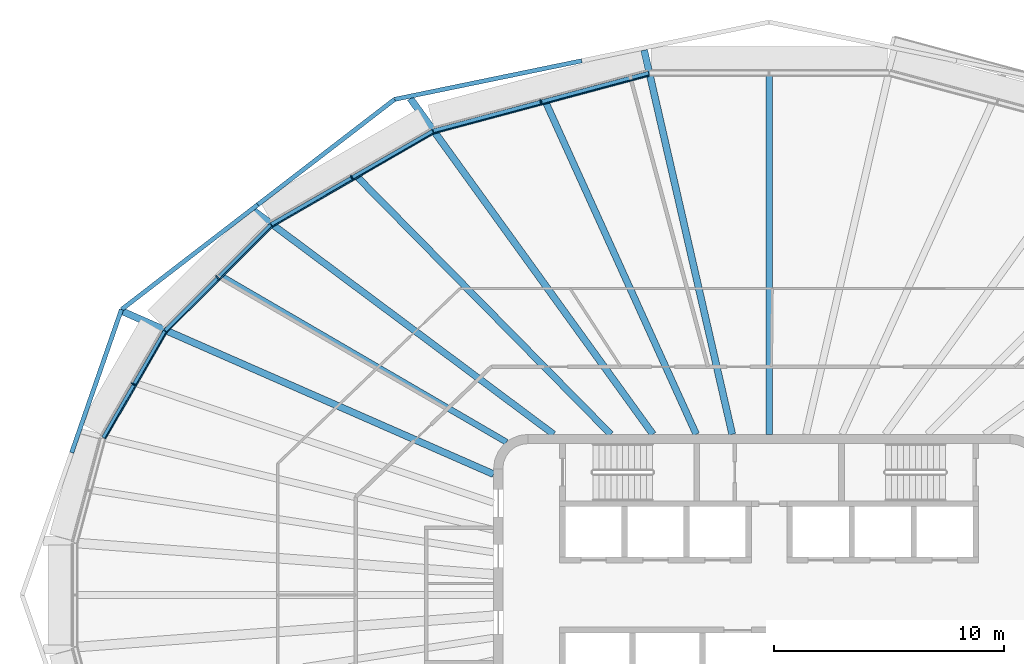
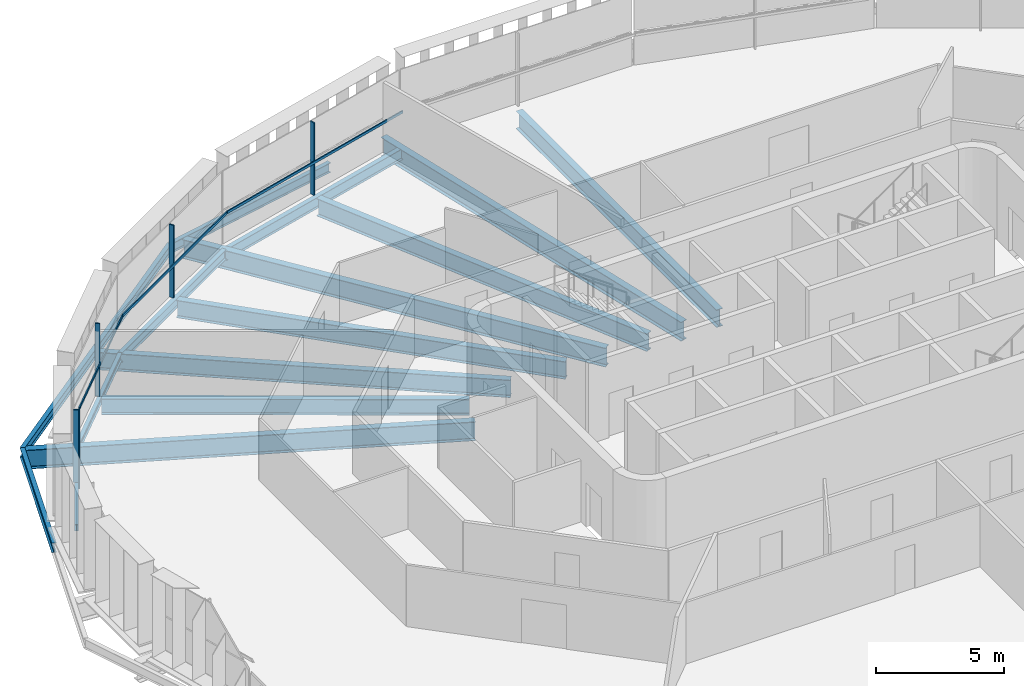
# One storey, part 6 of 20: 16 beams, 8 members, 4 elements without a shape of their own.
"""IFC4 building model written with IfcOpenShell, lengths in metres."""

import ifcopenshell
import ifcopenshell.guid

model = None  # the IFC model being written
_history = None  # IfcOwnerHistory: only IFC2X3 demands one
_inside = {}  # id of a spatial element -> (the spatial element, [elements in it])
_under = {}  # id of a project, library or spatial element -> (it, [spatial elements below it])
_declared = {}  # id of a project -> (the project, [libraries it declares])
_typed = {}  # id of a type object -> (the type object, [elements of that type])
_made_of = {}  # id of a material, layer set ... -> (it, [elements and type objects made of it])


def new_model(schema):
    """Start an empty IFC model of exactly this schema.

    Asked for "IFC4X3", IfcOpenShell would pick the latest addendum, in which some entities
    have other attributes; the version numbers below select the first issue.
    IFC2X3 requires an IfcOwnerHistory on every rooted entity: one is made here for all.
    """
    global model, _history
    if schema == "IFC4X3":
        model = ifcopenshell.file(schema_version=(4, 3, 0, 0))
    else:
        model = ifcopenshell.file(schema=schema)
    _inside.clear()
    _under.clear()
    _declared.clear()
    _typed.clear()
    _made_of.clear()
    _history = None
    if model.schema == "IFC2X3":
        org = make("IfcOrganization", Name="unknown")
        user = make(
            "IfcPersonAndOrganization",
            ThePerson=make("IfcPerson", FamilyName="unknown"),
            TheOrganization=org,
        )
        app = make(
            "IfcApplication",
            ApplicationDeveloper=org,
            Version="unknown",
            ApplicationFullName="unknown",
            ApplicationIdentifier="unknown",
        )
        _history = make(
            "IfcOwnerHistory",
            OwningUser=user,
            OwningApplication=app,
            ChangeAction="ADDED",
            CreationDate=0,
        )
    return model


def make(cls, **values):
    """One entity of the class cls with the attributes given. An attribute that is None is left unset."""
    return model.create_entity(
        cls, **{name: value for name, value in values.items() if value is not None}
    )


def rooted(cls, **values):
    """An entity with a GlobalId (a new one), such as an element, a storey or a relation."""
    return make(cls, GlobalId=ifcopenshell.guid.new(), OwnerHistory=_history, **values)


def si_unit(unit_type, name, prefix=None):
    """IfcSIUnit, for example si_unit("LENGTHUNIT", "METRE", prefix="MILLI")."""
    return make("IfcSIUnit", UnitType=unit_type, Prefix=prefix, Name=name)


def assignment(units):
    """IfcUnitAssignment: the units of a project."""
    return None if units is None else make("IfcUnitAssignment", Units=units)


def point(xyz):
    """IfcCartesianPoint."""
    return None if xyz is None else make("IfcCartesianPoint", Coordinates=xyz)


def direction(xyz):
    """IfcDirection."""
    return None if xyz is None else make("IfcDirection", DirectionRatios=xyz)


def frame(location, z_axis=None, x_axis=None):
    """IfcAxis2Placement3D, a coordinate frame: its origin and axes. An axis left out is left unset."""
    return make(
        "IfcAxis2Placement3D",
        Location=point(location),
        Axis=direction(z_axis),
        RefDirection=direction(x_axis),
    )


def frame_2d(location, x_axis=None):
    """IfcAxis2Placement2D, a coordinate frame in the plane: its origin and x axis."""
    return make(
        "IfcAxis2Placement2D", Location=point(location), RefDirection=direction(x_axis)
    )


def origin():
    """The frame at (0, 0, 0) with its axes left unset."""
    return frame((0.0, 0.0, 0.0))


def origin_2d():
    """The frame at (0, 0) in the plane with its x axis left unset."""
    return frame_2d((0.0, 0.0))


def place(relative_to, where):
    """IfcLocalPlacement: puts the frame where relative to a parent placement (None: the world)."""
    return make(
        "IfcLocalPlacement", PlacementRelTo=relative_to, RelativePlacement=where
    )


def context(
    kind, dimensions, precision=None, world=None, true_north=None, identifier=None
):
    """IfcGeometricRepresentationContext, for example the 3D "Model" context."""
    return make(
        "IfcGeometricRepresentationContext",
        ContextIdentifier=identifier,
        ContextType=kind,
        CoordinateSpaceDimension=dimensions,
        Precision=precision,
        WorldCoordinateSystem=world,
        TrueNorth=true_north,
    )


def subcontext(parent, identifier, kind, view, scale=None):
    """IfcGeometricRepresentationSubContext, for example "Body" below "Model"."""
    return make(
        "IfcGeometricRepresentationSubContext",
        ContextIdentifier=identifier,
        ContextType=kind,
        ParentContext=parent,
        TargetScale=scale,
        TargetView=view,
    )


def project(units=None, contexts=None):
    """IfcProject with its units and contexts."""
    return rooted(
        "IfcProject",
        Name="project",
        RepresentationContexts=contexts,
        UnitsInContext=assignment(units),
    )


def spatial(cls, under=None, at=None, **own):
    """A site, building, storey or space (cls), placed at a placement, below another one or the project."""
    s = rooted(cls, ObjectPlacement=at, **own)
    if under is not None:
        _under.setdefault(under.id(), (under, []))[1].append(s)
    return s


def profile(cls, at=None, kind="AREA", **sizes):
    """A parametric profile (cls). Its sizes go by their IFC names, for example OverallWidth=200.0."""
    return make(cls, ProfileType=kind, Position=at, **sizes)


def rectangle(**sizes):
    """IfcRectangleProfileDef."""
    return profile("IfcRectangleProfileDef", **sizes)


def i_section(**sizes):
    """IfcIShapeProfileDef."""
    return profile("IfcIShapeProfileDef", **sizes)


def extrude(swept, where, along, depth):
    """IfcExtrudedAreaSolid: the profile swept, set in the frame where, extruded along a direction by depth."""
    return make(
        "IfcExtrudedAreaSolid",
        SweptArea=swept,
        Position=where,
        ExtrudedDirection=direction(along),
        Depth=depth,
    )


def shape(context_of_items, identifier, shape_type, items):
    """IfcShapeRepresentation: the items that make up one representation, for example the "Body"."""
    return make(
        "IfcShapeRepresentation",
        ContextOfItems=context_of_items,
        RepresentationIdentifier=identifier,
        RepresentationType=shape_type,
        Items=items,
    )


def material(Name=None, Category=None):
    """IfcMaterial."""
    return make("IfcMaterial", Name=Name, Category=Category)


def layer(
    of_material, thickness, ventilated=None, Name=None, Category=None, Priority=None
):
    """IfcMaterialLayer: one layer of a wall or slab, of a material (None: an air gap)."""
    return make(
        "IfcMaterialLayer",
        Material=of_material,
        LayerThickness=thickness,
        IsVentilated=ventilated,
        Name=Name,
        Category=Category,
        Priority=Priority,
    )


def layer_set(layers, Name=None):
    """IfcMaterialLayerSet."""
    return make("IfcMaterialLayerSet", MaterialLayers=layers, LayerSetName=Name)


def material_profile(
    of_material, cross_section, Name=None, Category=None, Priority=None
):
    """IfcMaterialProfile: a cross section and its material."""
    return make(
        "IfcMaterialProfile",
        Name=Name,
        Material=of_material,
        Profile=cross_section,
        Priority=Priority,
        Category=Category,
    )


def profile_set(profiles, Name=None, composite=None):
    """IfcMaterialProfileSet."""
    return make(
        "IfcMaterialProfileSet",
        Name=Name,
        MaterialProfiles=profiles,
        CompositeProfile=composite,
    )


def made_of(thing, what):
    """Note that an element or type object is made of a material, layer set ...; save() writes the relation."""
    if what is not None:
        _made_of.setdefault(what.id(), (what, []))[1].append(thing)
    return thing


def type_object(cls, material=None, **own):
    """A type object (cls), such as IfcWallType, which elements share."""
    return made_of(rooted(cls, **own), material)


def element(
    cls,
    number,
    at=None,
    inside=None,
    cuts=None,
    type_object=None,
    material=None,
    context=None,
    identifier="Body",
    shape_type=None,
    held_by="IfcProductDefinitionShape",
    body=None,
    shapes=None,
    **own,
):
    """One element of the class cls, such as IfcWall. Its Tag is "e" and its number.

    at: its placement. inside: the storey or other place that contains it. cuts: it is an
    opening in that element (IfcRelVoidsElement). A single representation is given by context,
    identifier, shape_type and body (its items); several are given by shapes. held_by: the class
    of the entity that holds the representations. save() writes the other relations.
    """
    e = rooted(cls, Tag="e%d" % number, ObjectPlacement=at, **own)
    if body is not None:
        shapes = [shape(context, identifier, shape_type, body)]
    if shapes is not None:
        e.Representation = make(held_by, Representations=shapes)
    if inside is not None:
        _inside.setdefault(inside.id(), (inside, []))[1].append(e)
    if cuts is not None:
        rooted(
            "IfcRelVoidsElement", RelatingBuildingElement=cuts, RelatedOpeningElement=e
        )
    if type_object is not None:
        _typed.setdefault(type_object.id(), (type_object, []))[1].append(e)
    return made_of(e, material)


def aggregate(whole, parts):
    """IfcRelAggregates: a whole, such as a stair, and the parts it consists of."""
    return rooted("IfcRelAggregates", RelatingObject=whole, RelatedObjects=parts)


def save(model, path):
    """Write the relations noted so far, then the file.

    IfcRelAggregates (storeys below a building ...), IfcRelContainedInSpatialStructure (elements
    in a storey), IfcRelDefinesByType, IfcRelAssociatesMaterial and IfcRelDeclares: one each for
    every whole, place, type object, material and project.
    """
    for whole, parts in _under.values():
        aggregate(whole, parts)
    for where, things in _inside.values():
        rooted(
            "IfcRelContainedInSpatialStructure",
            RelatedElements=things,
            RelatingStructure=where,
        )
    for kind, things in _typed.values():
        rooted("IfcRelDefinesByType", RelatedObjects=things, RelatingType=kind)
    for what, things in _made_of.values():
        rooted("IfcRelAssociatesMaterial", RelatedObjects=things, RelatingMaterial=what)
    for by, libraries in _declared.values():
        rooted("IfcRelDeclares", RelatingContext=by, RelatedDefinitions=libraries)
    model.write(path)


model = new_model("IFC4")

# Units and contexts
model_context = context("Model", 3, precision=1e-05, world=origin(), true_north=direction((0.0, 1.0)))
body_context = subcontext(model_context, "Body", "Model", "MODEL_VIEW")
ifc_project = project(units=[si_unit("LENGTHUNIT", "METRE"), si_unit("AREAUNIT", "SQUARE_METRE"), si_unit("VOLUMEUNIT", "CUBIC_METRE"), si_unit("PLANEANGLEUNIT", "RADIAN"), si_unit("MASSUNIT", "GRAM", prefix="KILO")], contexts=[model_context])

# Site, building, storey
site_placement = place(None, origin())
site = spatial("IfcSite", under=ifc_project, at=site_placement, CompositionType="ELEMENT")
building_placement = place(site_placement, origin())
building = spatial("IfcBuilding", under=site, at=building_placement, Name="Sahrelin Media Tower", CompositionType="ELEMENT")
storey_placement = place(building_placement, frame((0.0, 0.0, 255.0)))
storey = spatial("IfcBuildingStorey", under=building, at=storey_placement, Name="L55", CompositionType="ELEMENT", Elevation=255.0)

# Beams
ifc_material_1 = material(Name="Steel S355", Category="steel")
ifc_material_profile_1 = material_profile(ifc_material_1, i_section(OverallWidth=0.1650390625, OverallDepth=0.303466796875, WebThickness=0.006103515625, FlangeThickness=0.01025390625, FilletRadius=0.0087890625, at=origin_2d()), Name="UB 305x165x40")
ifc_profile_set_1 = profile_set([ifc_material_profile_1], Name="Steel S355")
beam_type_1 = type_object("IfcBeamType", Name="Edge beam EB2", PredefinedType="BEAM", material=ifc_profile_set_1)
beam_1_placement = place(storey_placement, frame((-28.994384765625, 6.848876953125, -0.3017578125), z_axis=(0.500040680786, 0.866001915448, 0.0), x_axis=(-0.866001915448, 0.500040680786, 0.0)))
element("IfcBeam", 1, at=beam_1_placement, inside=storey, type_object=beam_type_1, Name="Edge beam L55-15", PredefinedType="BEAM", context=body_context, shape_type="SweptSolid", body=[
    extrude(i_section(OverallWidth=0.1650390625, OverallDepth=0.303466796875, WebThickness=0.006103515625, FlangeThickness=0.01025390625, FilletRadius=0.0087890625, at=origin_2d()), origin(), (0.0, 0.0, 1.0), 5.35693359375),
])
ifc_material_profile_2 = material_profile(ifc_material_1, i_section(OverallWidth=0.17138671875, OverallDepth=0.35498046875, WebThickness=0.00732421875, FlangeThickness=0.011474609375, FilletRadius=0.01025390625, at=origin_2d()), Name="UB 356x171x51")
ifc_profile_set_2 = profile_set([ifc_material_profile_2], Name="Steel S355")
beam_type_2 = type_object("IfcBeamType", Name="Edge beam EB3", PredefinedType="BEAM", material=ifc_profile_set_2)
beam_2_placement = place(storey_placement, frame((-26.298095703125, 11.510986328125, -0.327392578125), z_axis=(0.707088031255, 0.707125530621, 0.0), x_axis=(-0.707125530621, 0.707088031255, 0.0)))
element("IfcBeam", 2, at=beam_2_placement, inside=storey, type_object=beam_type_2, Name="Edge beam L55-16", PredefinedType="BEAM", context=body_context, shape_type="SweptSolid", body=[
    extrude(i_section(OverallWidth=0.17138671875, OverallDepth=0.35498046875, WebThickness=0.00732421875, FlangeThickness=0.011474609375, FilletRadius=0.01025390625, at=origin_2d()), origin(), (0.0, 0.0, 1.0), 6.510498046875),
])
ifc_material_profile_3 = material_profile(ifc_material_1, i_section(OverallWidth=0.1904296875, OverallDepth=0.45703125, WebThickness=0.009033203125, FlangeThickness=0.014404296875, FilletRadius=0.01025390625, at=origin_2d()), Name="UB 457x191x74")
ifc_profile_set_3 = profile_set([ifc_material_profile_3], Name="Steel S355")
beam_type_3 = type_object("IfcBeamType", Name="Edge beam EB5", PredefinedType="BEAM", material=ifc_profile_set_3)
beam_3_placement = place(storey_placement, frame((-21.671630859375, 16.132080078125, -0.37841796875), z_axis=(0.866013664775, 0.500020332009, 0.0), x_axis=(-0.500020332009, 0.866013664775, 0.0)))
element("IfcBeam", 3, at=beam_3_placement, inside=storey, type_object=beam_type_3, Name="Edge beam L55-17", PredefinedType="BEAM", context=body_context, shape_type="SweptSolid", body=[
    extrude(i_section(OverallWidth=0.1904296875, OverallDepth=0.45703125, WebThickness=0.009033203125, FlangeThickness=0.014404296875, FilletRadius=0.01025390625, at=origin_2d()), origin(), (0.0, 0.0, 1.0), 8.111572265625),
])
ifc_material_profile_4 = material_profile(ifc_material_1, i_section(OverallWidth=0.208740234375, OverallDepth=0.5283203125, WebThickness=0.009521484375, FlangeThickness=0.01318359375, FilletRadius=0.0126953125, at=origin_2d()), Name="UB 533x210x82")
ifc_profile_set_4 = profile_set([ifc_material_profile_4], Name="Steel S355")
beam_type_4 = type_object("IfcBeamType", Name="Edge beam EB6", PredefinedType="BEAM", material=ifc_profile_set_4)
beam_4_placement = place(storey_placement, frame((-14.620361328125, 20.198974609375, -0.414306640625), z_axis=(0.965930098294, 0.258803101237, 0.0), x_axis=(-0.258803101237, 0.965930098294, 0.0)))
element("IfcBeam", 4, at=beam_4_placement, inside=storey, type_object=beam_type_4, Name="Edge beam L55-18", PredefinedType="BEAM", context=body_context, shape_type="SweptSolid", body=[
    extrude(i_section(OverallWidth=0.208740234375, OverallDepth=0.5283203125, WebThickness=0.009521484375, FlangeThickness=0.01318359375, FilletRadius=0.0126953125, at=origin_2d()), origin(), (0.0, 0.0, 1.0), 9.711669921875),
])

# Curtain wall, member
ifc_material_2 = material(Name="Champagne anodised aluminium 6063-T6", Category="aluminium")
ifc_layer = layer(ifc_material_2, 0.14990234375)
ifc_layer_set = layer_set([ifc_layer], Name="Tower ribbon curtain wall")
curtain_wall_type = type_object("IfcCurtainWallType", Name="Tower ribbon curtain wall", PredefinedType="NOTDEFINED", material=ifc_layer_set)
curtain_wall_1_placement = place(storey_placement, frame((-9.96875, 21.6005859375, 0.0), z_axis=(0.0, 0.0, 1.0), x_axis=(1.0, 0.0, 0.0)))
curtain_wall_1 = element("IfcCurtainWall", 5, at=curtain_wall_1_placement, inside=storey, type_object=curtain_wall_type, Name="L55:CW:L55-07", PredefinedType="NOTDEFINED")
ifc_material_profile_5 = material_profile(ifc_material_2, rectangle(XDim=0.06005859375, YDim=0.199951171875, at=origin_2d()), Name="Mullion 60x200")
ifc_profile_set_5 = profile_set([ifc_material_profile_5], Name="Champagne anodised aluminium 6063-T6")
member_type_1 = type_object("IfcMemberType", Name="Mullion 60x200 CW1C", PredefinedType="MULLION", material=ifc_profile_set_5)
member_1_placement = place(storey_placement, frame((-9.937744140625, 21.484619140625, 0.0), z_axis=(0.0, 0.0, 1.0), x_axis=(-0.965926729732, -0.258815673384, 0.0)))
member_1 = element("IfcMember", 6, at=member_1_placement, type_object=member_type_1, Name="L55:CWM:L55-07", PredefinedType="MULLION", context=body_context, shape_type="SweptSolid", body=[
    extrude(rectangle(XDim=0.06005859375, YDim=0.199951171875, at=origin_2d()), origin(), (0.0, 0.0, 1.0), 3.448486328125),
])

curtain_wall_2_placement = place(storey_placement, frame((-18.234375, 18.2900390625, 0.0), z_axis=(0.0, 0.0, 1.0), x_axis=(1.0, 0.0, 0.0)))
curtain_wall_2 = element("IfcCurtainWall", 7, at=curtain_wall_2_placement, inside=storey, type_object=curtain_wall_type, Name="L55:CW:L55-08", PredefinedType="NOTDEFINED")
member_2_placement = place(storey_placement, frame((-18.17431640625, 18.18603515625, 0.0), z_axis=(0.0, 0.0, 1.0), x_axis=(-0.866022785779, -0.500004534492, 0.0)))
member_2 = element("IfcMember", 8, at=member_2_placement, type_object=member_type_1, Name="L55:CWM:L55-08", PredefinedType="MULLION", context=body_context, shape_type="SweptSolid", body=[
    extrude(rectangle(XDim=0.06005859375, YDim=0.199951171875, at=origin_2d()), origin(), (0.0, 0.0, 1.0), 3.448486328125),
])

curtain_wall_3_placement = place(storey_placement, frame((-24.102294921875, 13.9189453125, 0.0), z_axis=(0.0, 0.0, 1.0), x_axis=(1.0, 0.0, 0.0)))
curtain_wall_3 = element("IfcCurtainWall", 9, at=curtain_wall_3_placement, inside=storey, type_object=curtain_wall_type, Name="L55:CW:L55-09", PredefinedType="NOTDEFINED")
member_3_placement = place(storey_placement, frame((-24.017578125, 13.833984375, 0.0), z_axis=(0.0, 0.0, 1.0), x_axis=(-0.707106781187, -0.707106781187, 0.0)))
member_3 = element("IfcMember", 10, at=member_3_placement, type_object=member_type_1, Name="L55:CWM:L55-09", PredefinedType="MULLION", context=body_context, shape_type="SweptSolid", body=[
    extrude(rectangle(XDim=0.06005859375, YDim=0.199951171875, at=origin_2d()), origin(), (0.0, 0.0, 1.0), 3.448486328125),
])

curtain_wall_4_placement = place(storey_placement, frame((-27.784912109375, 9.243408203125, 0.0), z_axis=(0.0, 0.0, 1.0), x_axis=(1.0, 0.0, 0.0)))
curtain_wall_4 = element("IfcCurtainWall", 11, at=curtain_wall_4_placement, inside=storey, type_object=curtain_wall_type, Name="L55:CW:L55-10", PredefinedType="NOTDEFINED")
member_4_placement = place(storey_placement, frame((-27.680908203125, 9.183349609375, 0.0), z_axis=(0.0, 0.0, 1.0), x_axis=(-0.5, -0.866025403784, 0.0)))
member_4 = element("IfcMember", 12, at=member_4_placement, type_object=member_type_1, Name="L55:CWM:L55-10", PredefinedType="MULLION", context=body_context, shape_type="SweptSolid", body=[
    extrude(rectangle(XDim=0.06005859375, YDim=0.199951171875, at=origin_2d()), origin(), (0.0, 0.0, 1.0), 3.448486328125),
])

# Beams
ifc_material_profile_6 = material_profile(ifc_material_1, i_section(OverallWidth=0.291748046875, OverallDepth=0.8349609375, WebThickness=0.013916015625, FlangeThickness=0.018798828125, FilletRadius=0.017822265625, at=origin_2d()), Name="UB 838x292x176")
ifc_profile_set_6 = profile_set([ifc_material_profile_6], Name="Steel S355")
beam_type_5 = type_object("IfcBeamType", Name="Radial primary beam PB10", PredefinedType="BEAM", material=ifc_profile_set_6)
beam_5_placement = place(storey_placement, frame((-9.38330078125, 7.0, -0.5673828125), z_axis=(-0.801539735745, 0.597941512209, 0.0), x_axis=(-0.597941512209, -0.801539735745, 0.0)))
element("IfcBeam", 13, at=beam_5_placement, inside=storey, type_object=beam_type_5, Name="Radial beam L55-09", PredefinedType="BEAM", context=body_context, shape_type="SweptSolid", body=[
    extrude(i_section(OverallWidth=0.291748046875, OverallDepth=0.8349609375, WebThickness=0.013916015625, FlangeThickness=0.018798828125, FilletRadius=0.017822265625, at=origin_2d()), origin(), (0.0, 0.0, 1.0), 16.29736328125),
])
ifc_material_profile_7 = material_profile(ifc_material_1, i_section(OverallWidth=0.30322265625, OverallDepth=0.903076171875, WebThickness=0.01513671875, FlangeThickness=0.020263671875, FilletRadius=0.01904296875, at=origin_2d()), Name="UB 914x305x201")
ifc_profile_set_7 = profile_set([ifc_material_profile_7], Name="Steel S355")
beam_type_6 = type_object("IfcBeamType", Name="Radial primary beam PB11", PredefinedType="BEAM", material=ifc_profile_set_7)
beam_6_placement = place(storey_placement, frame((-1.605712890625, 7.0, -0.6015625), z_axis=(-0.223577449176, 0.97468616704, 0.0), x_axis=(-0.97468616704, -0.223577449176, 0.0)))
element("IfcBeam", 14, at=beam_6_placement, inside=storey, type_object=beam_type_6, Name="Radial beam L55-07", PredefinedType="BEAM", context=body_context, shape_type="SweptSolid", body=[
    extrude(i_section(OverallWidth=0.30322265625, OverallDepth=0.903076171875, WebThickness=0.01513671875, FlangeThickness=0.020263671875, FilletRadius=0.01904296875, at=origin_2d()), origin(), (0.0, 0.0, 1.0), 17.164794921875),
])
beam_7_placement = place(storey_placement, frame((-5.0576171875, 7.0, -0.6015625), z_axis=(-0.585640185113, 0.810571140357, 0.0), x_axis=(-0.810571140357, -0.585640185113, 0.0)))
element("IfcBeam", 15, at=beam_7_placement, inside=storey, type_object=beam_type_6, Name="Radial beam L55-08", PredefinedType="BEAM", context=body_context, shape_type="SweptSolid", body=[
    extrude(i_section(OverallWidth=0.30322265625, OverallDepth=0.903076171875, WebThickness=0.01513671875, FlangeThickness=0.020263671875, FilletRadius=0.01904296875, at=origin_2d()), origin(), (0.0, 0.0, 1.0), 18.049072265625),
])
beam_8_placement = place(storey_placement, frame((-12.0, 5.263916015625, -0.6015625), z_axis=(-0.915775333044, 0.401690850515, 0.0), x_axis=(-0.401690850515, -0.915775333044, 0.0)))
element("IfcBeam", 16, at=beam_8_placement, inside=storey, type_object=beam_type_6, Name="Radial beam L55-10", PredefinedType="BEAM", context=body_context, shape_type="SweptSolid", body=[
    extrude(i_section(OverallWidth=0.30322265625, OverallDepth=0.903076171875, WebThickness=0.01513671875, FlangeThickness=0.020263671875, FilletRadius=0.01904296875, at=origin_2d()), origin(), (0.0, 0.0, 1.0), 17.620849609375),
])
ifc_material_profile_8 = material_profile(ifc_material_1, i_section(OverallWidth=0.291748046875, OverallDepth=0.8349609375, WebThickness=0.013916015625, FlangeThickness=0.018798828125, FilletRadius=0.017822265625, at=origin_2d()), Name="UB 838x292x176")
ifc_profile_set_8 = profile_set([ifc_material_profile_8], Name="Steel S355")
beam_type_7 = type_object("IfcBeamType", Name="Radial secondary beam SB10", PredefinedType="BEAM", material=ifc_profile_set_8)
beam_9_placement = place(storey_placement, frame((0.0, 7.0, -0.5673828125), z_axis=(0.0, 1.0, 0.0), x_axis=(-1.0, 0.0, 0.0)))
element("IfcBeam", 17, at=beam_9_placement, inside=storey, type_object=beam_type_7, Name="Secondary beam L55-06", PredefinedType="BEAM", context=body_context, shape_type="SweptSolid", body=[
    extrude(i_section(OverallWidth=0.291748046875, OverallDepth=0.8349609375, WebThickness=0.013916015625, FlangeThickness=0.018798828125, FilletRadius=0.017822265625, at=origin_2d()), origin(), (0.0, 0.0, 1.0), 15.61181640625),
])
beam_10_placement = place(storey_placement, frame((-3.173095703125, 7.0, -0.5673828125), z_axis=(-0.412850412091, 0.910798845649, 0.0), x_axis=(-0.910798845649, -0.412850412091, 0.0)))
element("IfcBeam", 18, at=beam_10_placement, inside=storey, type_object=beam_type_7, Name="Secondary beam L55-07", PredefinedType="BEAM", context=body_context, shape_type="SweptSolid", body=[
    extrude(i_section(OverallWidth=0.291748046875, OverallDepth=0.8349609375, WebThickness=0.013916015625, FlangeThickness=0.018798828125, FilletRadius=0.017822265625, at=origin_2d()), origin(), (0.0, 0.0, 1.0), 15.8193359375),
])
beam_11_placement = place(storey_placement, frame((-6.89404296875, 7.0, -0.5673828125), z_axis=(-0.701692640236, 0.712479781214, 0.0), x_axis=(-0.712479781214, -0.701692640236, 0.0)))
element("IfcBeam", 19, at=beam_11_placement, inside=storey, type_object=beam_type_7, Name="Secondary beam L55-08", PredefinedType="BEAM", context=body_context, shape_type="SweptSolid", body=[
    extrude(i_section(OverallWidth=0.291748046875, OverallDepth=0.8349609375, WebThickness=0.013916015625, FlangeThickness=0.018798828125, FilletRadius=0.017822265625, at=origin_2d()), origin(), (0.0, 0.0, 1.0), 15.70703125),
])
ifc_material_profile_9 = material_profile(ifc_material_1, i_section(OverallWidth=0.26513671875, OverallDepth=0.75390625, WebThickness=0.0126953125, FlangeThickness=0.017578125, FilletRadius=0.0166015625, at=origin_2d()), Name="UB 762x267x147")
ifc_profile_set_9 = profile_set([ifc_material_profile_9], Name="Steel S355")
beam_type_8 = type_object("IfcBeamType", Name="Radial secondary beam SB9", PredefinedType="BEAM", material=ifc_profile_set_9)
beam_12_placement = place(storey_placement, frame((-11.435546875, 6.65673828125, -0.527099609375), z_axis=(-0.86424748062, 0.503066886449, 0.0), x_axis=(-0.503066886449, -0.86424748062, 0.0)))
element("IfcBeam", 20, at=beam_12_placement, inside=storey, type_object=beam_type_8, Name="Secondary beam L55-09", PredefinedType="BEAM", context=body_context, shape_type="SweptSolid", body=[
    extrude(i_section(OverallWidth=0.26513671875, OverallDepth=0.75390625, WebThickness=0.0126953125, FlangeThickness=0.017578125, FilletRadius=0.0166015625, at=origin_2d()), origin(), (0.0, 0.0, 1.0), 14.33154296875),
])
ifc_material_profile_10 = material_profile(ifc_material_1, i_section(OverallWidth=0.1904296875, OverallDepth=0.45703125, WebThickness=0.009033203125, FlangeThickness=0.014404296875, FilletRadius=0.01025390625, at=origin_2d()), Name="UB 457x191x74")
ifc_profile_set_10 = profile_set([ifc_material_profile_10], Name="Steel S355")
beam_type_9 = type_object("IfcBeamType", Name="Tie chord TC5", PredefinedType="BEAM", material=ifc_profile_set_10)
beam_13_placement = place(storey_placement, frame((-30.373291015625, 6.205322265625, -0.37841796875), z_axis=(0.328710220354, 0.944430829143, 0.0), x_axis=(-0.944430829143, 0.328710220354, 0.0)))
element("IfcBeam", 21, at=beam_13_placement, inside=storey, type_object=beam_type_9, Name="Tie chord L55-14", PredefinedType="BEAM", context=body_context, shape_type="SweptSolid", body=[
    extrude(i_section(OverallWidth=0.1904296875, OverallDepth=0.45703125, WebThickness=0.009033203125, FlangeThickness=0.014404296875, FilletRadius=0.01025390625, at=origin_2d()), origin(), (0.0, 0.0, 1.0), 6.592529296875),
])
beam_14_placement = place(storey_placement, frame((-28.206298828125, 12.431396484375, -0.37841796875), z_axis=(0.792439782885, 0.609950154112, 0.0), x_axis=(-0.609950154112, 0.792439782885, 0.0)))
element("IfcBeam", 22, at=beam_14_placement, inside=storey, type_object=beam_type_9, Name="Tie chord L55-15", PredefinedType="BEAM", context=body_context, shape_type="SweptSolid", body=[
    extrude(i_section(OverallWidth=0.1904296875, OverallDepth=0.45703125, WebThickness=0.009033203125, FlangeThickness=0.014404296875, FilletRadius=0.01025390625, at=origin_2d()), origin(), (0.0, 0.0, 1.0), 7.490478515625),
])
beam_15_placement = place(storey_placement, frame((-22.2705078125, 17.000244140625, -0.37841796875), z_axis=(0.79247670773, 0.609902178801, 0.0), x_axis=(-0.609902178801, 0.79247670773, 0.0)))
element("IfcBeam", 23, at=beam_15_placement, inside=storey, type_object=beam_type_9, Name="Tie chord L55-16", PredefinedType="BEAM", context=body_context, shape_type="SweptSolid", body=[
    extrude(i_section(OverallWidth=0.1904296875, OverallDepth=0.45703125, WebThickness=0.009033203125, FlangeThickness=0.014404296875, FilletRadius=0.01025390625, at=origin_2d()), origin(), (0.0, 0.0, 1.0), 7.51904296875),
])
beam_16_placement = place(storey_placement, frame((-16.311767578125, 21.586181640625, -0.37841796875), z_axis=(0.979395476459, 0.201951728619, 0.0), x_axis=(-0.201951728619, 0.979395476459, 0.0)))
element("IfcBeam", 24, at=beam_16_placement, inside=storey, type_object=beam_type_9, Name="Tie chord L55-17", PredefinedType="BEAM", context=body_context, shape_type="SweptSolid", body=[
    extrude(i_section(OverallWidth=0.1904296875, OverallDepth=0.45703125, WebThickness=0.009033203125, FlangeThickness=0.014404296875, FilletRadius=0.01025390625, at=origin_2d()), origin(), (0.0, 0.0, 1.0), 8.322021484375),
])

# Member
ifc_material_profile_11 = material_profile(ifc_material_2, rectangle(XDim=0.050048828125, YDim=0.1201171875, at=origin_2d()), Name="Transom 50x120")
ifc_profile_set_11 = profile_set([ifc_material_profile_11], Name="Champagne anodised aluminium 6063-T6")
member_type_2 = type_object("IfcMemberType", Name="Transom 50x120 CW1C", PredefinedType="USERDEFINED", material=ifc_profile_set_11)
member_5_placement = place(storey_placement, frame((-5.22998046875, 22.61669921875, 1.60009765625), z_axis=(-0.96592868915, -0.258808360524, 0.0), x_axis=(0.258808360524, -0.96592868915, 0.0)))
member_5 = element("IfcMember", 25, at=member_5_placement, type_object=member_type_2, Name="L55:CWT:L55-07", ObjectType="TRANSOM", PredefinedType="USERDEFINED", context=body_context, shape_type="SweptSolid", body=[
    extrude(rectangle(XDim=0.050048828125, YDim=0.1201171875, at=origin_2d()), origin(), (0.0, 0.0, 1.0), 9.680419921875),
])

aggregate(curtain_wall_1, [member_1, member_5])

member_6_placement = place(storey_placement, frame((-14.613037109375, 20.097900390625, 1.60009765625), z_axis=(-0.866025579307, -0.499999695987, 0.0), x_axis=(0.499999695987, -0.866025579307, 0.0)))
member_6 = element("IfcMember", 26, at=member_6_placement, type_object=member_type_2, Name="L55:CWT:L55-08", ObjectType="TRANSOM", PredefinedType="USERDEFINED", context=body_context, shape_type="SweptSolid", body=[
    extrude(rectangle(XDim=0.050048828125, YDim=0.1201171875, at=origin_2d()), origin(), (0.0, 0.0, 1.0), 8.080078125),
])

aggregate(curtain_wall_2, [member_2, member_6])

member_7_placement = place(storey_placement, frame((-21.638427734375, 16.036376953125, 1.60009765625), z_axis=(-0.707106781187, -0.707106781187, 0.0), x_axis=(0.707106781187, -0.707106781187, 0.0)))
member_7 = element("IfcMember", 27, at=member_7_placement, type_object=member_type_2, Name="L55:CWT:L55-09", ObjectType="TRANSOM", PredefinedType="USERDEFINED", context=body_context, shape_type="SweptSolid", body=[
    extrude(rectangle(XDim=0.050048828125, YDim=0.1201171875, at=origin_2d()), origin(), (0.0, 0.0, 1.0), 6.479248046875),
])

aggregate(curtain_wall_3, [member_3, member_7])

member_8_placement = place(storey_placement, frame((-26.2412109375, 11.427001953125, 1.60009765625), z_axis=(-0.500009491695, -0.866019923683, 0.0), x_axis=(0.866019923683, -0.500009491695, 0.0)))
member_8 = element("IfcMember", 28, at=member_8_placement, type_object=member_type_2, Name="L55:CWT:L55-10", ObjectType="TRANSOM", PredefinedType="USERDEFINED", context=body_context, shape_type="SweptSolid", body=[
    extrude(rectangle(XDim=0.050048828125, YDim=0.1201171875, at=origin_2d()), origin(), (0.0, 0.0, 1.0), 5.32568359375),
])

aggregate(curtain_wall_4, [member_4, member_8])

save(model, "model.ifc")
